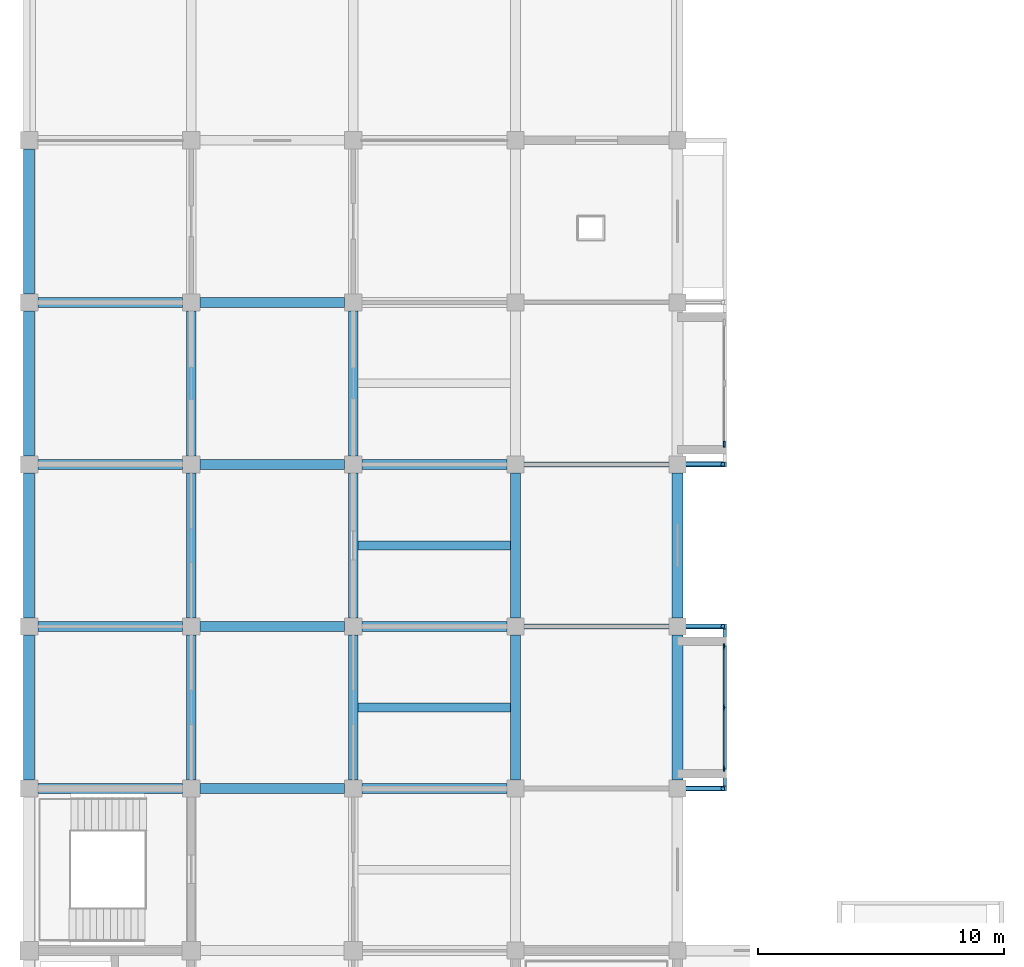
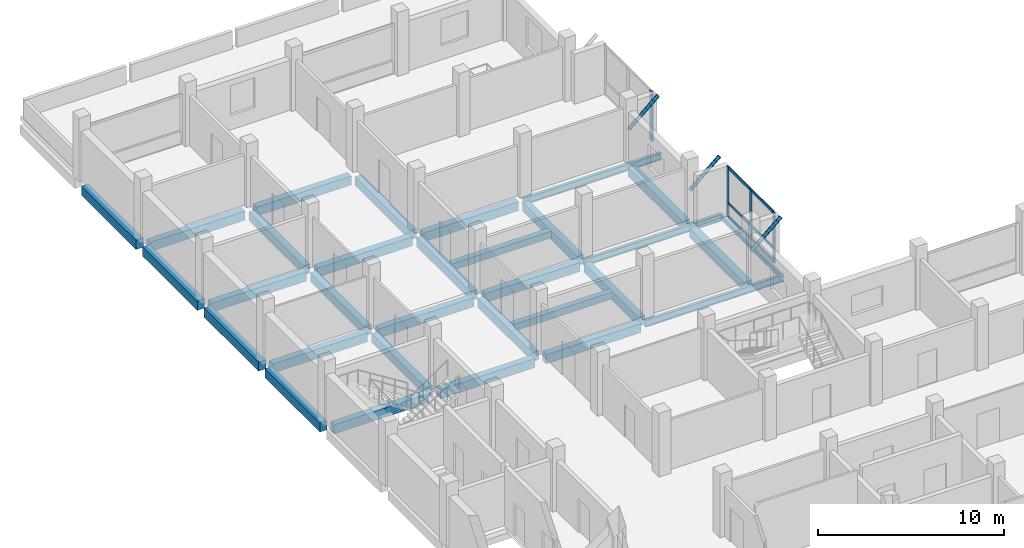
# One storey, part 3 of 10: 31 beams, 13 members, 2 elements without a shape of their own.
"""IFC4 building model written with IfcOpenShell, lengths in metres."""

import ifcopenshell
import ifcopenshell.guid

model = None  # the IFC model being written
_history = None  # IfcOwnerHistory: only IFC2X3 demands one
_inside = {}  # id of a spatial element -> (the spatial element, [elements in it])
_under = {}  # id of a project, library or spatial element -> (it, [spatial elements below it])
_declared = {}  # id of a project -> (the project, [libraries it declares])
_typed = {}  # id of a type object -> (the type object, [elements of that type])
_made_of = {}  # id of a material, layer set ... -> (it, [elements and type objects made of it])


def new_model(schema):
    """Start an empty IFC model of exactly this schema.

    Asked for "IFC4X3", IfcOpenShell would pick the latest addendum, in which some entities
    have other attributes; the version numbers below select the first issue.
    IFC2X3 requires an IfcOwnerHistory on every rooted entity: one is made here for all.
    """
    global model, _history
    if schema == "IFC4X3":
        model = ifcopenshell.file(schema_version=(4, 3, 0, 0))
    else:
        model = ifcopenshell.file(schema=schema)
    _inside.clear()
    _under.clear()
    _declared.clear()
    _typed.clear()
    _made_of.clear()
    _history = None
    if model.schema == "IFC2X3":
        org = make("IfcOrganization", Name="unknown")
        user = make(
            "IfcPersonAndOrganization",
            ThePerson=make("IfcPerson", FamilyName="unknown"),
            TheOrganization=org,
        )
        app = make(
            "IfcApplication",
            ApplicationDeveloper=org,
            Version="unknown",
            ApplicationFullName="unknown",
            ApplicationIdentifier="unknown",
        )
        _history = make(
            "IfcOwnerHistory",
            OwningUser=user,
            OwningApplication=app,
            ChangeAction="ADDED",
            CreationDate=0,
        )
    return model


def make(cls, **values):
    """One entity of the class cls with the attributes given. An attribute that is None is left unset."""
    return model.create_entity(
        cls, **{name: value for name, value in values.items() if value is not None}
    )


def rooted(cls, **values):
    """An entity with a GlobalId (a new one), such as an element, a storey or a relation."""
    return make(cls, GlobalId=ifcopenshell.guid.new(), OwnerHistory=_history, **values)


def si_unit(unit_type, name, prefix=None):
    """IfcSIUnit, for example si_unit("LENGTHUNIT", "METRE", prefix="MILLI")."""
    return make("IfcSIUnit", UnitType=unit_type, Prefix=prefix, Name=name)


def assignment(units):
    """IfcUnitAssignment: the units of a project."""
    return None if units is None else make("IfcUnitAssignment", Units=units)


def point(xyz):
    """IfcCartesianPoint."""
    return None if xyz is None else make("IfcCartesianPoint", Coordinates=xyz)


def direction(xyz):
    """IfcDirection."""
    return None if xyz is None else make("IfcDirection", DirectionRatios=xyz)


def frame(location, z_axis=None, x_axis=None):
    """IfcAxis2Placement3D, a coordinate frame: its origin and axes. An axis left out is left unset."""
    return make(
        "IfcAxis2Placement3D",
        Location=point(location),
        Axis=direction(z_axis),
        RefDirection=direction(x_axis),
    )


def frame_2d(location, x_axis=None):
    """IfcAxis2Placement2D, a coordinate frame in the plane: its origin and x axis."""
    return make(
        "IfcAxis2Placement2D", Location=point(location), RefDirection=direction(x_axis)
    )


def origin():
    """The frame at (0, 0, 0) with its axes left unset."""
    return frame((0.0, 0.0, 0.0))


def origin_2d():
    """The frame at (0, 0) in the plane with its x axis left unset."""
    return frame_2d((0.0, 0.0))


def place(relative_to, where):
    """IfcLocalPlacement: puts the frame where relative to a parent placement (None: the world)."""
    return make(
        "IfcLocalPlacement", PlacementRelTo=relative_to, RelativePlacement=where
    )


def context(
    kind, dimensions, precision=None, world=None, true_north=None, identifier=None
):
    """IfcGeometricRepresentationContext, for example the 3D "Model" context."""
    return make(
        "IfcGeometricRepresentationContext",
        ContextIdentifier=identifier,
        ContextType=kind,
        CoordinateSpaceDimension=dimensions,
        Precision=precision,
        WorldCoordinateSystem=world,
        TrueNorth=true_north,
    )


def subcontext(parent, identifier, kind, view, scale=None):
    """IfcGeometricRepresentationSubContext, for example "Body" below "Model"."""
    return make(
        "IfcGeometricRepresentationSubContext",
        ContextIdentifier=identifier,
        ContextType=kind,
        ParentContext=parent,
        TargetScale=scale,
        TargetView=view,
    )


def project(units=None, contexts=None):
    """IfcProject with its units and contexts."""
    return rooted(
        "IfcProject",
        Name="project",
        RepresentationContexts=contexts,
        UnitsInContext=assignment(units),
    )


def spatial(cls, under=None, at=None, **own):
    """A site, building, storey or space (cls), placed at a placement, below another one or the project."""
    s = rooted(cls, ObjectPlacement=at, **own)
    if under is not None:
        _under.setdefault(under.id(), (under, []))[1].append(s)
    return s


def profile(cls, at=None, kind="AREA", **sizes):
    """A parametric profile (cls). Its sizes go by their IFC names, for example OverallWidth=200.0."""
    return make(cls, ProfileType=kind, Position=at, **sizes)


def rectangle(**sizes):
    """IfcRectangleProfileDef."""
    return profile("IfcRectangleProfileDef", **sizes)


def hollow_circle(**sizes):
    """IfcCircleHollowProfileDef."""
    return profile("IfcCircleHollowProfileDef", **sizes)


def i_section(**sizes):
    """IfcIShapeProfileDef."""
    return profile("IfcIShapeProfileDef", **sizes)


def extrude(swept, where, along, depth):
    """IfcExtrudedAreaSolid: the profile swept, set in the frame where, extruded along a direction by depth."""
    return make(
        "IfcExtrudedAreaSolid",
        SweptArea=swept,
        Position=where,
        ExtrudedDirection=direction(along),
        Depth=depth,
    )


def shape(context_of_items, identifier, shape_type, items):
    """IfcShapeRepresentation: the items that make up one representation, for example the "Body"."""
    return make(
        "IfcShapeRepresentation",
        ContextOfItems=context_of_items,
        RepresentationIdentifier=identifier,
        RepresentationType=shape_type,
        Items=items,
    )


def material(Name=None, Category=None):
    """IfcMaterial."""
    return make("IfcMaterial", Name=Name, Category=Category)


def material_profile(
    of_material, cross_section, Name=None, Category=None, Priority=None
):
    """IfcMaterialProfile: a cross section and its material."""
    return make(
        "IfcMaterialProfile",
        Name=Name,
        Material=of_material,
        Profile=cross_section,
        Priority=Priority,
        Category=Category,
    )


def profile_set(profiles, Name=None, composite=None):
    """IfcMaterialProfileSet."""
    return make(
        "IfcMaterialProfileSet",
        Name=Name,
        MaterialProfiles=profiles,
        CompositeProfile=composite,
    )


def made_of(thing, what):
    """Note that an element or type object is made of a material, layer set ...; save() writes the relation."""
    if what is not None:
        _made_of.setdefault(what.id(), (what, []))[1].append(thing)
    return thing


def type_object(cls, material=None, **own):
    """A type object (cls), such as IfcWallType, which elements share."""
    return made_of(rooted(cls, **own), material)


def element(
    cls,
    number,
    at=None,
    inside=None,
    cuts=None,
    type_object=None,
    material=None,
    context=None,
    identifier="Body",
    shape_type=None,
    held_by="IfcProductDefinitionShape",
    body=None,
    shapes=None,
    **own,
):
    """One element of the class cls, such as IfcWall. Its Tag is "e" and its number.

    at: its placement. inside: the storey or other place that contains it. cuts: it is an
    opening in that element (IfcRelVoidsElement). A single representation is given by context,
    identifier, shape_type and body (its items); several are given by shapes. held_by: the class
    of the entity that holds the representations. save() writes the other relations.
    """
    e = rooted(cls, Tag="e%d" % number, ObjectPlacement=at, **own)
    if body is not None:
        shapes = [shape(context, identifier, shape_type, body)]
    if shapes is not None:
        e.Representation = make(held_by, Representations=shapes)
    if inside is not None:
        _inside.setdefault(inside.id(), (inside, []))[1].append(e)
    if cuts is not None:
        rooted(
            "IfcRelVoidsElement", RelatingBuildingElement=cuts, RelatedOpeningElement=e
        )
    if type_object is not None:
        _typed.setdefault(type_object.id(), (type_object, []))[1].append(e)
    return made_of(e, material)


def aggregate(whole, parts):
    """IfcRelAggregates: a whole, such as a stair, and the parts it consists of."""
    return rooted("IfcRelAggregates", RelatingObject=whole, RelatedObjects=parts)


def save(model, path):
    """Write the relations noted so far, then the file.

    IfcRelAggregates (storeys below a building ...), IfcRelContainedInSpatialStructure (elements
    in a storey), IfcRelDefinesByType, IfcRelAssociatesMaterial and IfcRelDeclares: one each for
    every whole, place, type object, material and project.
    """
    for whole, parts in _under.values():
        aggregate(whole, parts)
    for where, things in _inside.values():
        rooted(
            "IfcRelContainedInSpatialStructure",
            RelatedElements=things,
            RelatingStructure=where,
        )
    for kind, things in _typed.values():
        rooted("IfcRelDefinesByType", RelatedObjects=things, RelatingType=kind)
    for what, things in _made_of.values():
        rooted("IfcRelAssociatesMaterial", RelatedObjects=things, RelatingMaterial=what)
    for by, libraries in _declared.values():
        rooted("IfcRelDeclares", RelatingContext=by, RelatedDefinitions=libraries)
    model.write(path)


model = new_model("IFC4")

# Units and contexts
model_context = context("Model", 3, precision=1e-05, world=origin(), true_north=direction((0.0, 1.0)))
body_context = subcontext(model_context, "Body", "Model", "MODEL_VIEW")
ifc_project = project(units=[si_unit("LENGTHUNIT", "METRE"), si_unit("AREAUNIT", "SQUARE_METRE"), si_unit("VOLUMEUNIT", "CUBIC_METRE"), si_unit("PLANEANGLEUNIT", "RADIAN"), si_unit("MASSUNIT", "GRAM", prefix="KILO")], contexts=[model_context])

# Site, building, storey
site_placement = place(None, origin())
site = spatial("IfcSite", under=ifc_project, at=site_placement, CompositionType="ELEMENT")
building_placement = place(site_placement, origin())
building = spatial("IfcBuilding", under=site, at=building_placement, Name="Rusizi Kubbe Research Institute", CompositionType="ELEMENT")
storey_placement = place(building_placement, frame((0.0, 0.0, 43.800048828125)))
storey = spatial("IfcBuildingStorey", under=building, at=storey_placement, Name="L10", CompositionType="ELEMENT", Elevation=43.800048828125)

# Beams
ifc_material_1 = material(Name="Steel S355", Category="steel")
ifc_material_profile_1 = material_profile(ifc_material_1, i_section(OverallWidth=0.14990234375, OverallDepth=0.300048828125, WebThickness=0.007080078125, FlangeThickness=0.0107421875, at=origin_2d()), Name="IPE 300")
ifc_profile_set_1 = profile_set([ifc_material_profile_1], Name="Steel S355")
beam_type_1 = type_object("IfcBeamType", Name="BM-IPE300", PredefinedType="BEAM", material=ifc_profile_set_1)
beam_1_placement = place(storey_placement, frame((28.324951171875, 33.094970703125, -0.4599609375), z_axis=(0.0, 1.0, 0.0), x_axis=(-1.0, 0.0, 0.0)))
element("IfcBeam", 1, at=beam_1_placement, inside=storey, type_object=beam_type_1, Name="Cumba Edge Tie Beam L10-1", PredefinedType="BEAM", context=body_context, shape_type="SweptSolid", body=[
    extrude(i_section(OverallWidth=0.14990234375, OverallDepth=0.300048828125, WebThickness=0.007080078125, FlangeThickness=0.0107421875, at=origin_2d()), origin(), (0.0, 0.0, 1.0), 6.409912109375),
])
ifc_material_2 = material(Name="Steel S355", Category="steel")
ifc_material_profile_2 = material_profile(ifc_material_2, i_section(OverallWidth=0.18994140625, OverallDepth=0.449951171875, WebThickness=0.009521484375, FlangeThickness=0.0146484375, at=origin_2d()), Name="IPE 450")
ifc_profile_set_2 = profile_set([ifc_material_profile_2], Name="Steel S355")
beam_type_2 = type_object("IfcBeamType", Name="BM-IPE450", PredefinedType="BEAM", material=ifc_profile_set_2)
for number, where, z_axis, x_axis, name in (
    (2, (19.800048828125, 33.0, -0.53515625), (1.0, 0.0, 0.0), (0.0, 1.0, 0.0), "Cumba Back-Spanned Cantilever Beam L10-1S"),
    (3, (19.800048828125, 39.60009765625, -0.53515625), (1.0, 0.0, 0.0), (0.0, 1.0, 0.0), "Cumba Back-Spanned Cantilever Beam L10-1N"),
    (4, (19.800048828125, 46.199951171875, -0.53515625), (1.0, 0.0, 0.0), (0.0, 1.0, 0.0), "Cumba Back-Spanned Cantilever Beam L10-2S"),
):
    element("IfcBeam", number, at=place(storey_placement, frame(where, z_axis=z_axis, x_axis=x_axis)), inside=storey, type_object=beam_type_2, Name=name, PredefinedType="BEAM", context=body_context, shape_type="SweptSolid", body=[
        extrude(i_section(OverallWidth=0.18994140625, OverallDepth=0.449951171875, WebThickness=0.009521484375, FlangeThickness=0.0146484375, at=origin_2d()), origin(), (0.0, 0.0, 1.0), 8.599853515625),
    ])
ifc_material_3 = material(Name="Concrete C40/50", Category="concrete")
ifc_material_profile_3 = material_profile(ifc_material_3, rectangle(XDim=0.35009765625, YDim=0.449951171875, at=origin_2d()), Name="RC350x450")
ifc_profile_set_3 = profile_set([ifc_material_profile_3], Name="Concrete C40/50")
beam_type_3 = type_object("IfcBeamType", Name="BM-RC350x450", PredefinedType="JOIST", material=ifc_profile_set_3)
for number, where, z_axis, x_axis, name in (
    (5, (13.39990234375, 36.300048828125, -0.53515625), (1.0, 0.0, 0.0), (0.0, 1.0, 0.0), "Lab Stiffener Joist L10 (2,5)"),
    (6, (13.39990234375, 42.89990234375, -0.53515625), (1.0, 0.0, 0.0), (0.0, 1.0, 0.0), "Lab Stiffener Joist L10 (2,6)"),
):
    element("IfcBeam", number, at=place(storey_placement, frame(where, z_axis=z_axis, x_axis=x_axis)), inside=storey, type_object=beam_type_3, Name=name, PredefinedType="JOIST", context=body_context, shape_type="SweptSolid", body=[
        extrude(rectangle(XDim=0.35009765625, YDim=0.449951171875, at=origin_2d()), origin(), (0.0, 0.0, 1.0), 6.2001953125),
    ])
ifc_material_4 = material(Name="Concrete C40/50", Category="concrete")
ifc_material_profile_4 = material_profile(ifc_material_4, rectangle(XDim=0.39990234375, YDim=0.60009765625, at=origin_2d()), Name="RC400x600")
ifc_profile_set_4 = profile_set([ifc_material_profile_4], Name="Concrete C40/50")
beam_type_4 = type_object("IfcBeamType", Name="BM-RC400x600", PredefinedType="BEAM", material=ifc_profile_set_4)
for number, where, z_axis, x_axis, name in (
    (7, (0.35009765625, 33.0, -0.610107421875), (1.0, 0.0, 0.0), (0.0, 1.0, 0.0), "Grid Beam H L10 (0,5)"),
    (8, (0.35009765625, 39.60009765625, -0.610107421875), (1.0, 0.0, 0.0), (0.0, 1.0, 0.0), "Grid Beam H L10 (0,6)"),
    (9, (0.35009765625, 46.199951171875, -0.610107421875), (1.0, 0.0, 0.0), (0.0, 1.0, 0.0), "Grid Beam H L10 (0,7)"),
    (10, (0.35009765625, 52.800048828125, -0.610107421875), (1.0, 0.0, 0.0), (0.0, 1.0, 0.0), "Grid Beam H L10 (0,8)"),
):
    element("IfcBeam", number, at=place(storey_placement, frame(where, z_axis=z_axis, x_axis=x_axis)), inside=storey, type_object=beam_type_4, Name=name, PredefinedType="BEAM", context=body_context, shape_type="SweptSolid", body=[
        extrude(rectangle(XDim=0.39990234375, YDim=0.60009765625, at=origin_2d()), origin(), (0.0, 0.0, 1.0), 5.89990234375),
    ])
for number, where, z_axis, x_axis, name in (
    (11, (6.949951171875, 33.0, -0.610107421875), (1.0, 0.0, 0.0), (0.0, 1.0, 0.0), "Grid Beam H L10 (1,5)"),
    (12, (6.949951171875, 39.60009765625, -0.610107421875), (1.0, 0.0, 0.0), (0.0, 1.0, 0.0), "Grid Beam H L10 (1,6)"),
    (13, (6.949951171875, 46.199951171875, -0.610107421875), (1.0, 0.0, 0.0), (0.0, 1.0, 0.0), "Grid Beam H L10 (1,7)"),
    (14, (6.949951171875, 52.800048828125, -0.610107421875), (1.0, 0.0, 0.0), (0.0, 1.0, 0.0), "Grid Beam H L10 (1,8)"),
):
    element("IfcBeam", number, at=place(storey_placement, frame(where, z_axis=z_axis, x_axis=x_axis)), inside=storey, type_object=beam_type_4, Name=name, PredefinedType="BEAM", context=body_context, shape_type="SweptSolid", body=[
        extrude(rectangle(XDim=0.39990234375, YDim=0.60009765625, at=origin_2d()), origin(), (0.0, 0.0, 1.0), 5.900146484375),
    ])
for number, where, z_axis, x_axis, name in (
    (15, (13.550048828125, 33.0, -0.610107421875), (1.0, 0.0, 0.0), (0.0, 1.0, 0.0), "Grid Beam H L10 (2,5)"),
    (16, (13.550048828125, 39.60009765625, -0.610107421875), (1.0, 0.0, 0.0), (0.0, 1.0, 0.0), "Grid Beam H L10 (2,6)"),
    (17, (13.550048828125, 46.199951171875, -0.610107421875), (1.0, 0.0, 0.0), (0.0, 1.0, 0.0), "Grid Beam H L10 (2,7)"),
    (18, (6.60009765625, 33.35009765625, -0.610107421875), (0.0, 1.0, 0.0), (-1.0, 0.0, 0.0), "Grid Beam V L10 (1,5)"),
):
    element("IfcBeam", number, at=place(storey_placement, frame(where, z_axis=z_axis, x_axis=x_axis)), inside=storey, type_object=beam_type_4, Name=name, PredefinedType="BEAM", context=body_context, shape_type="SweptSolid", body=[
        extrude(rectangle(XDim=0.39990234375, YDim=0.60009765625, at=origin_2d()), origin(), (0.0, 0.0, 1.0), 5.89990234375),
    ])
beam_2_placement = place(storey_placement, frame((6.60009765625, 39.949951171875, -0.610107421875), z_axis=(0.0, 1.0, 0.0), x_axis=(-1.0, 0.0, 0.0)))
element("IfcBeam", 19, at=beam_2_placement, inside=storey, type_object=beam_type_4, Name="Grid Beam V L10 (1,6)", PredefinedType="BEAM", context=body_context, shape_type="SweptSolid", body=[
    extrude(rectangle(XDim=0.39990234375, YDim=0.60009765625, at=origin_2d()), origin(), (0.0, 0.0, 1.0), 5.900146484375),
])
for number, where, z_axis, x_axis, name in (
    (20, (6.60009765625, 46.550048828125, -0.610107421875), (0.0, 1.0, 0.0), (-1.0, 0.0, 0.0), "Grid Beam V L10 (1,7)"),
    (21, (13.199951171875, 33.35009765625, -0.610107421875), (0.0, 1.0, 0.0), (-1.0, 0.0, 0.0), "Grid Beam V L10 (2,5)"),
):
    element("IfcBeam", number, at=place(storey_placement, frame(where, z_axis=z_axis, x_axis=x_axis)), inside=storey, type_object=beam_type_4, Name=name, PredefinedType="BEAM", context=body_context, shape_type="SweptSolid", body=[
        extrude(rectangle(XDim=0.39990234375, YDim=0.60009765625, at=origin_2d()), origin(), (0.0, 0.0, 1.0), 5.89990234375),
    ])
beam_3_placement = place(storey_placement, frame((13.199951171875, 39.949951171875, -0.610107421875), z_axis=(0.0, 1.0, 0.0), x_axis=(-1.0, 0.0, 0.0)))
element("IfcBeam", 22, at=beam_3_placement, inside=storey, type_object=beam_type_4, Name="Grid Beam V L10 (2,6)", PredefinedType="BEAM", context=body_context, shape_type="SweptSolid", body=[
    extrude(rectangle(XDim=0.39990234375, YDim=0.60009765625, at=origin_2d()), origin(), (0.0, 0.0, 1.0), 5.900146484375),
])
for number, where, z_axis, x_axis, name in (
    (23, (13.199951171875, 46.550048828125, -0.610107421875), (0.0, 1.0, 0.0), (-1.0, 0.0, 0.0), "Grid Beam V L10 (2,7)"),
    (24, (19.800048828125, 33.35009765625, -0.610107421875), (0.0, 1.0, 0.0), (-1.0, 0.0, 0.0), "Grid Beam V L10 (3,5)"),
):
    element("IfcBeam", number, at=place(storey_placement, frame(where, z_axis=z_axis, x_axis=x_axis)), inside=storey, type_object=beam_type_4, Name=name, PredefinedType="BEAM", context=body_context, shape_type="SweptSolid", body=[
        extrude(rectangle(XDim=0.39990234375, YDim=0.60009765625, at=origin_2d()), origin(), (0.0, 0.0, 1.0), 5.89990234375),
    ])
beam_4_placement = place(storey_placement, frame((19.800048828125, 39.949951171875, -0.610107421875), z_axis=(0.0, 1.0, 0.0), x_axis=(-1.0, 0.0, 0.0)))
element("IfcBeam", 25, at=beam_4_placement, inside=storey, type_object=beam_type_4, Name="Grid Beam V L10 (3,6)", PredefinedType="BEAM", context=body_context, shape_type="SweptSolid", body=[
    extrude(rectangle(XDim=0.39990234375, YDim=0.60009765625, at=origin_2d()), origin(), (0.0, 0.0, 1.0), 5.900146484375),
])
ifc_material_5 = material(Name="Concrete C40/50", Category="concrete")
ifc_material_profile_5 = material_profile(ifc_material_5, rectangle(XDim=0.449951171875, YDim=0.60009765625, at=origin_2d()), Name="RC450x600")
ifc_profile_set_5 = profile_set([ifc_material_profile_5], Name="Concrete C40/50")
beam_type_5 = type_object("IfcBeamType", Name="BM-RC450x600", PredefinedType="SPANDREL", material=ifc_profile_set_5)
beam_5_placement = place(storey_placement, frame((0.0, 33.35009765625, -0.610107421875), z_axis=(0.0, 1.0, 0.0), x_axis=(-1.0, 0.0, 0.0)))
element("IfcBeam", 26, at=beam_5_placement, inside=storey, type_object=beam_type_5, Name="Grid Beam V L10 (0,5)", PredefinedType="SPANDREL", context=body_context, shape_type="SweptSolid", body=[
    extrude(rectangle(XDim=0.449951171875, YDim=0.60009765625, at=origin_2d()), origin(), (0.0, 0.0, 1.0), 5.89990234375),
])
beam_6_placement = place(storey_placement, frame((0.0, 39.949951171875, -0.610107421875), z_axis=(0.0, 1.0, 0.0), x_axis=(-1.0, 0.0, 0.0)))
element("IfcBeam", 27, at=beam_6_placement, inside=storey, type_object=beam_type_5, Name="Grid Beam V L10 (0,6)", PredefinedType="SPANDREL", context=body_context, shape_type="SweptSolid", body=[
    extrude(rectangle(XDim=0.449951171875, YDim=0.60009765625, at=origin_2d()), origin(), (0.0, 0.0, 1.0), 5.900146484375),
])
beam_7_placement = place(storey_placement, frame((0.0, 46.550048828125, -0.610107421875), z_axis=(0.0, 1.0, 0.0), x_axis=(-1.0, 0.0, 0.0)))
element("IfcBeam", 28, at=beam_7_placement, inside=storey, type_object=beam_type_5, Name="Grid Beam V L10 (0,7)", PredefinedType="SPANDREL", context=body_context, shape_type="SweptSolid", body=[
    extrude(rectangle(XDim=0.449951171875, YDim=0.60009765625, at=origin_2d()), origin(), (0.0, 0.0, 1.0), 5.89990234375),
])
beam_8_placement = place(storey_placement, frame((0.0, 53.14990234375, -0.610107421875), z_axis=(0.0, 1.0, 0.0), x_axis=(-1.0, 0.0, 0.0)))
element("IfcBeam", 29, at=beam_8_placement, inside=storey, type_object=beam_type_5, Name="Grid Beam V L10 (0,8)", PredefinedType="SPANDREL", context=body_context, shape_type="SweptSolid", body=[
    extrude(rectangle(XDim=0.449951171875, YDim=0.60009765625, at=origin_2d()), origin(), (0.0, 0.0, 1.0), 5.900146484375),
])
beam_9_placement = place(storey_placement, frame((26.39990234375, 33.35009765625, -0.610107421875), z_axis=(0.0, 1.0, 0.0), x_axis=(-1.0, 0.0, 0.0)))
element("IfcBeam", 30, at=beam_9_placement, inside=storey, type_object=beam_type_5, Name="Grid Beam V L10 (4,5)", PredefinedType="SPANDREL", context=body_context, shape_type="SweptSolid", body=[
    extrude(rectangle(XDim=0.449951171875, YDim=0.60009765625, at=origin_2d()), origin(), (0.0, 0.0, 1.0), 5.89990234375),
])
beam_10_placement = place(storey_placement, frame((26.39990234375, 39.949951171875, -0.610107421875), z_axis=(0.0, 1.0, 0.0), x_axis=(-1.0, 0.0, 0.0)))
element("IfcBeam", 31, at=beam_10_placement, inside=storey, type_object=beam_type_5, Name="Grid Beam V L10 (4,6)", PredefinedType="SPANDREL", context=body_context, shape_type="SweptSolid", body=[
    extrude(rectangle(XDim=0.449951171875, YDim=0.60009765625, at=origin_2d()), origin(), (0.0, 0.0, 1.0), 5.900146484375),
])

# Members
ifc_material_6 = material(Name="Steel S355", Category="steel")
ifc_material_profile_6 = material_profile(ifc_material_6, hollow_circle(Radius=0.109619140625, WallThickness=0.008056640625, at=origin_2d()), Name="CHS 219.1x8.0")
ifc_profile_set_6 = profile_set([ifc_material_profile_6], Name="Steel S355")
member_type_1 = type_object("IfcMemberType", Name="MB-CHS219", PredefinedType="BRACE", material=ifc_profile_set_6)
for number, where, z_axis, x_axis, name in (
    (32, (26.39990234375, 33.0, 1.889892578125), (0.756360503059, 0.0, 0.654155019405), (0.0, 1.0, 0.0), "Cumba Diagonal Corbel Brace L11-1S"),
    (33, (26.39990234375, 39.60009765625, 1.889892578125), (0.756360503059, 0.0, 0.654155019405), (0.0, 1.0, 0.0), "Cumba Diagonal Corbel Brace L11-1N"),
    (34, (26.39990234375, 46.199951171875, 1.889892578125), (0.756360503059, 0.0, 0.654155019405), (0.0, 1.0, 0.0), "Cumba Diagonal Corbel Brace L11-2S"),
):
    element("IfcMember", number, at=place(storey_placement, frame(where, z_axis=z_axis, x_axis=x_axis)), inside=storey, type_object=member_type_1, Name=name, PredefinedType="BRACE", context=body_context, shape_type="SweptSolid", body=[
        extrude(hollow_circle(Radius=0.109619140625, WallThickness=0.008056640625, at=origin_2d()), origin(), (0.0, 0.0, 1.0), 2.446044921875),
    ])

# Curtain wall, members
ifc_material_7 = material(Name="Thermally Broken Aluminium and Low-E Glazing", Category="aluminium")
curtain_wall_type = type_object("IfcCurtainWallType", Name="CW-04", PredefinedType="NOTDEFINED", material=ifc_material_7)
curtain_wall_1_placement = place(storey_placement, origin())
curtain_wall_1 = element("IfcCurtainWall", 35, at=curtain_wall_1_placement, inside=storey, type_object=curtain_wall_type, Name="Cumba Glazed Curtain Wall CW-CUMBA-L10-111", PredefinedType="NOTDEFINED")
ifc_material_8 = material(Name="Aluminium Alloy 6063-T6", Category="aluminium")
ifc_material_profile_7 = material_profile(ifc_material_8, rectangle(XDim=0.070068359375, YDim=0.219970703125, at=origin_2d()), Name="ALU-M 70x220")
ifc_profile_set_7 = profile_set([ifc_material_profile_7], Name="Aluminium Alloy 6063-T6")
member_type_2 = type_object("IfcMemberType", Name="ML-04", PredefinedType="MULLION", material=ifc_profile_set_7)
member_1_placement = place(storey_placement, frame((28.300048828125, 33.8173828125, 0.0), z_axis=(0.0, 0.0, 1.0), x_axis=(-1.0, 0.0, 0.0)))
member_1 = element("IfcMember", 36, at=member_1_placement, type_object=member_type_2, Name="CW-04 mullion 1", PredefinedType="MULLION", context=body_context, shape_type="SweptSolid", body=[
    extrude(rectangle(XDim=0.070068359375, YDim=0.219970703125, at=origin_2d()), origin(), (0.0, 0.0, 1.0), 3.2900390625),
])
member_2_placement = place(storey_placement, frame((28.300048828125, 36.300048828125, 0.0), z_axis=(0.0, 0.0, 1.0), x_axis=(-1.0, 0.0, 0.0)))
member_2 = element("IfcMember", 37, at=member_2_placement, type_object=member_type_2, Name="CW-04 mullion 2", PredefinedType="MULLION", context=body_context, shape_type="SweptSolid", body=[
    extrude(rectangle(XDim=0.070068359375, YDim=0.219970703125, at=origin_2d()), origin(), (0.0, 0.0, 1.0), 3.2900390625),
])
member_3_placement = place(storey_placement, frame((28.300048828125, 38.782470703125, 0.0), z_axis=(0.0, 0.0, 1.0), x_axis=(-1.0, 0.0, 0.0)))
member_3 = element("IfcMember", 38, at=member_3_placement, type_object=member_type_2, Name="CW-04 mullion 3", PredefinedType="MULLION", context=body_context, shape_type="SweptSolid", body=[
    extrude(rectangle(XDim=0.070068359375, YDim=0.219970703125, at=origin_2d()), origin(), (0.0, 0.0, 1.0), 3.2900390625),
])

# Curtain wall, member
curtain_wall_2_placement = place(storey_placement, origin())
curtain_wall_2 = element("IfcCurtainWall", 39, at=curtain_wall_2_placement, inside=storey, type_object=curtain_wall_type, Name="Cumba Glazed Curtain Wall CW-CUMBA-L10-112", PredefinedType="NOTDEFINED")
ifc_material_9 = material(Name="Aluminium Alloy 6063-T6", Category="aluminium")
ifc_material_profile_8 = material_profile(ifc_material_9, rectangle(XDim=0.074951171875, YDim=0.25, at=origin_2d()), Name="ALU-M 75x250")
ifc_profile_set_8 = profile_set([ifc_material_profile_8], Name="Aluminium Alloy 6063-T6")
member_type_3 = type_object("IfcMemberType", Name="ML-05", PredefinedType="MULLION", material=ifc_profile_set_8)
member_4_placement = place(storey_placement, frame((28.300048828125, 47.02001953125, 0.0), z_axis=(0.0, 0.0, 1.0), x_axis=(-1.0, 0.0, 0.0)))
member_4 = element("IfcMember", 40, at=member_4_placement, type_object=member_type_3, Name="CW-04 mullion 1", PredefinedType="MULLION", context=body_context, shape_type="SweptSolid", body=[
    extrude(rectangle(XDim=0.074951171875, YDim=0.25, at=origin_2d()), origin(), (0.0, 0.0, 1.0), 3.2900390625),
])
aggregate(curtain_wall_2, [member_4])

# Member
ifc_material_10 = material(Name="Aluminium Alloy 6063-T6", Category="aluminium")
ifc_material_profile_9 = material_profile(ifc_material_10, rectangle(XDim=0.070068359375, YDim=0.18994140625, at=origin_2d()), Name="ALU-T 70x190")
ifc_profile_set_9 = profile_set([ifc_material_profile_9], Name="Aluminium Alloy 6063-T6")
member_type_4 = type_object("IfcMemberType", Name="TR-04", PredefinedType="USERDEFINED", material=ifc_profile_set_9)
member_5_placement = place(storey_placement, frame((28.300048828125, 33.8525390625, 0.034912109375), z_axis=(0.0, 1.0, 0.0), x_axis=(-1.0, 0.0, 0.0)))
member_5 = element("IfcMember", 41, at=member_5_placement, type_object=member_type_4, Name="CW-04 transom 1.1", ObjectType="TRANSOM", PredefinedType="USERDEFINED", context=body_context, shape_type="SweptSolid", body=[
    extrude(rectangle(XDim=0.070068359375, YDim=0.18994140625, at=origin_2d()), origin(), (0.0, 0.0, 1.0), 2.412353515625),
])

member_6_placement = place(storey_placement, frame((28.300048828125, 33.8525390625, 0.89990234375), z_axis=(0.0, 1.0, 0.0), x_axis=(-1.0, 0.0, 0.0)))
member_6 = element("IfcMember", 42, at=member_6_placement, type_object=member_type_4, Name="CW-04 transom 1.2", ObjectType="TRANSOM", PredefinedType="USERDEFINED", context=body_context, shape_type="SweptSolid", body=[
    extrude(rectangle(XDim=0.070068359375, YDim=0.18994140625, at=origin_2d()), origin(), (0.0, 0.0, 1.0), 2.412353515625),
])

member_7_placement = place(storey_placement, frame((28.300048828125, 33.8525390625, 3.2548828125), z_axis=(0.0, 1.0, 0.0), x_axis=(-1.0, 0.0, 0.0)))
member_7 = element("IfcMember", 43, at=member_7_placement, type_object=member_type_4, Name="CW-04 transom 1.3", ObjectType="TRANSOM", PredefinedType="USERDEFINED", context=body_context, shape_type="SweptSolid", body=[
    extrude(rectangle(XDim=0.070068359375, YDim=0.18994140625, at=origin_2d()), origin(), (0.0, 0.0, 1.0), 2.412353515625),
])

member_8_placement = place(storey_placement, frame((28.300048828125, 36.3349609375, 0.034912109375), z_axis=(0.0, 1.0, 0.0), x_axis=(-1.0, 0.0, 0.0)))
member_8 = element("IfcMember", 44, at=member_8_placement, type_object=member_type_4, Name="CW-04 transom 2.1", ObjectType="TRANSOM", PredefinedType="USERDEFINED", context=body_context, shape_type="SweptSolid", body=[
    extrude(rectangle(XDim=0.070068359375, YDim=0.18994140625, at=origin_2d()), origin(), (0.0, 0.0, 1.0), 2.41259765625),
])

member_9_placement = place(storey_placement, frame((28.300048828125, 36.3349609375, 0.89990234375), z_axis=(0.0, 1.0, 0.0), x_axis=(-1.0, 0.0, 0.0)))
member_9 = element("IfcMember", 45, at=member_9_placement, type_object=member_type_4, Name="CW-04 transom 2.2", ObjectType="TRANSOM", PredefinedType="USERDEFINED", context=body_context, shape_type="SweptSolid", body=[
    extrude(rectangle(XDim=0.070068359375, YDim=0.18994140625, at=origin_2d()), origin(), (0.0, 0.0, 1.0), 2.41259765625),
])

member_10_placement = place(storey_placement, frame((28.300048828125, 36.3349609375, 3.2548828125), z_axis=(0.0, 1.0, 0.0), x_axis=(-1.0, 0.0, 0.0)))
member_10 = element("IfcMember", 46, at=member_10_placement, type_object=member_type_4, Name="CW-04 transom 2.3", ObjectType="TRANSOM", PredefinedType="USERDEFINED", context=body_context, shape_type="SweptSolid", body=[
    extrude(rectangle(XDim=0.070068359375, YDim=0.18994140625, at=origin_2d()), origin(), (0.0, 0.0, 1.0), 2.41259765625),
])

aggregate(curtain_wall_1, [member_1, member_2, member_3, member_5, member_6, member_7, member_8, member_9, member_10])

save(model, "model.ifc")
